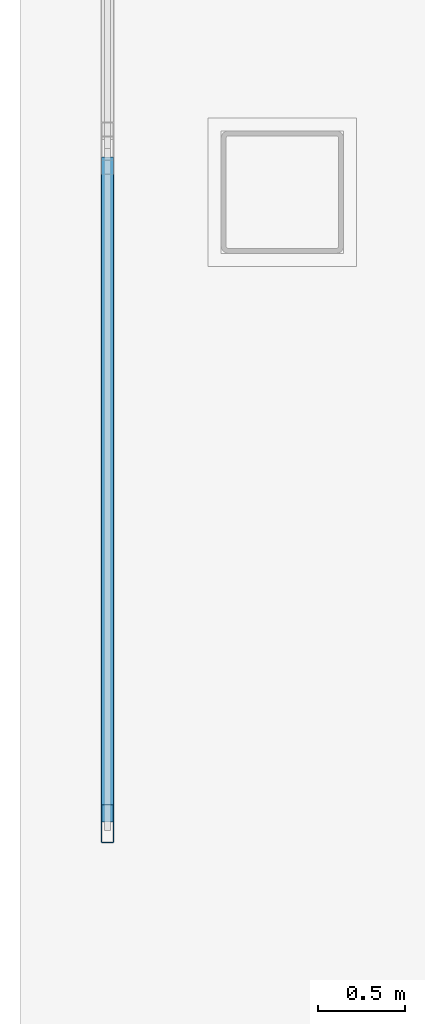
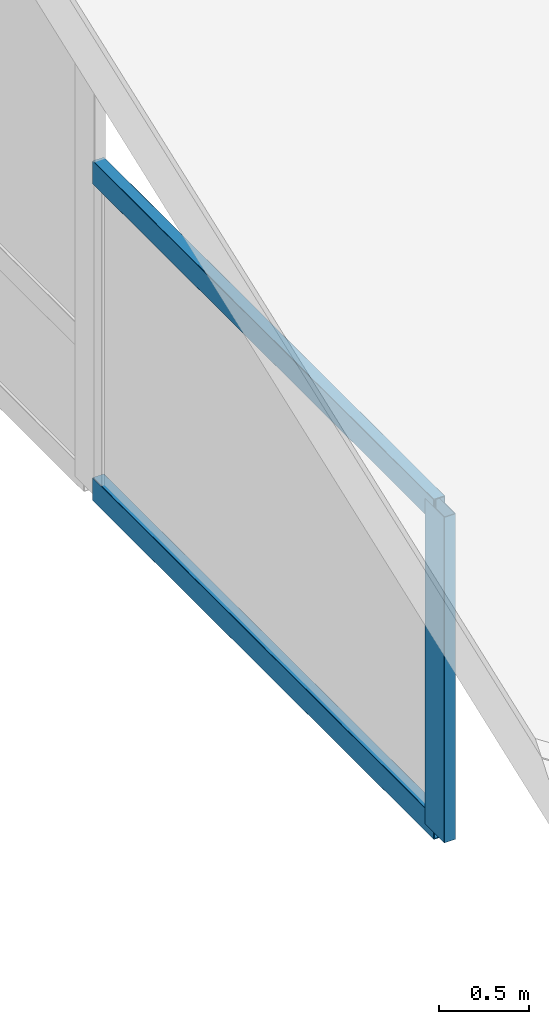
# One storey, part 2 of 12: 3 members, 1 element without a shape of its own.
"""IFC4 building model written with IfcOpenShell, lengths in metres."""

import ifcopenshell
import ifcopenshell.guid

model = None  # the IFC model being written
_history = None  # IfcOwnerHistory: only IFC2X3 demands one
_inside = {}  # id of a spatial element -> (the spatial element, [elements in it])
_under = {}  # id of a project, library or spatial element -> (it, [spatial elements below it])
_declared = {}  # id of a project -> (the project, [libraries it declares])
_typed = {}  # id of a type object -> (the type object, [elements of that type])
_made_of = {}  # id of a material, layer set ... -> (it, [elements and type objects made of it])


def new_model(schema):
    """Start an empty IFC model of exactly this schema.

    Asked for "IFC4X3", IfcOpenShell would pick the latest addendum, in which some entities
    have other attributes; the version numbers below select the first issue.
    IFC2X3 requires an IfcOwnerHistory on every rooted entity: one is made here for all.
    """
    global model, _history
    if schema == "IFC4X3":
        model = ifcopenshell.file(schema_version=(4, 3, 0, 0))
    else:
        model = ifcopenshell.file(schema=schema)
    _inside.clear()
    _under.clear()
    _declared.clear()
    _typed.clear()
    _made_of.clear()
    _history = None
    if model.schema == "IFC2X3":
        org = make("IfcOrganization", Name="unknown")
        user = make(
            "IfcPersonAndOrganization",
            ThePerson=make("IfcPerson", FamilyName="unknown"),
            TheOrganization=org,
        )
        app = make(
            "IfcApplication",
            ApplicationDeveloper=org,
            Version="unknown",
            ApplicationFullName="unknown",
            ApplicationIdentifier="unknown",
        )
        _history = make(
            "IfcOwnerHistory",
            OwningUser=user,
            OwningApplication=app,
            ChangeAction="ADDED",
            CreationDate=0,
        )
    return model


def make(cls, **values):
    """One entity of the class cls with the attributes given. An attribute that is None is left unset."""
    return model.create_entity(
        cls, **{name: value for name, value in values.items() if value is not None}
    )


def rooted(cls, **values):
    """An entity with a GlobalId (a new one), such as an element, a storey or a relation."""
    return make(cls, GlobalId=ifcopenshell.guid.new(), OwnerHistory=_history, **values)


def si_unit(unit_type, name, prefix=None):
    """IfcSIUnit, for example si_unit("LENGTHUNIT", "METRE", prefix="MILLI")."""
    return make("IfcSIUnit", UnitType=unit_type, Prefix=prefix, Name=name)


def assignment(units):
    """IfcUnitAssignment: the units of a project."""
    return None if units is None else make("IfcUnitAssignment", Units=units)


def point(xyz):
    """IfcCartesianPoint."""
    return None if xyz is None else make("IfcCartesianPoint", Coordinates=xyz)


def direction(xyz):
    """IfcDirection."""
    return None if xyz is None else make("IfcDirection", DirectionRatios=xyz)


def frame(location, z_axis=None, x_axis=None):
    """IfcAxis2Placement3D, a coordinate frame: its origin and axes. An axis left out is left unset."""
    return make(
        "IfcAxis2Placement3D",
        Location=point(location),
        Axis=direction(z_axis),
        RefDirection=direction(x_axis),
    )


def frame_2d(location, x_axis=None):
    """IfcAxis2Placement2D, a coordinate frame in the plane: its origin and x axis."""
    return make(
        "IfcAxis2Placement2D", Location=point(location), RefDirection=direction(x_axis)
    )


def origin():
    """The frame at (0, 0, 0) with its axes left unset."""
    return frame((0.0, 0.0, 0.0))


def origin_2d():
    """The frame at (0, 0) in the plane with its x axis left unset."""
    return frame_2d((0.0, 0.0))


def place(relative_to, where):
    """IfcLocalPlacement: puts the frame where relative to a parent placement (None: the world)."""
    return make(
        "IfcLocalPlacement", PlacementRelTo=relative_to, RelativePlacement=where
    )


def context(
    kind, dimensions, precision=None, world=None, true_north=None, identifier=None
):
    """IfcGeometricRepresentationContext, for example the 3D "Model" context."""
    return make(
        "IfcGeometricRepresentationContext",
        ContextIdentifier=identifier,
        ContextType=kind,
        CoordinateSpaceDimension=dimensions,
        Precision=precision,
        WorldCoordinateSystem=world,
        TrueNorth=true_north,
    )


def subcontext(parent, identifier, kind, view, scale=None):
    """IfcGeometricRepresentationSubContext, for example "Body" below "Model"."""
    return make(
        "IfcGeometricRepresentationSubContext",
        ContextIdentifier=identifier,
        ContextType=kind,
        ParentContext=parent,
        TargetScale=scale,
        TargetView=view,
    )


def project(units=None, contexts=None):
    """IfcProject with its units and contexts."""
    return rooted(
        "IfcProject",
        Name="project",
        RepresentationContexts=contexts,
        UnitsInContext=assignment(units),
    )


def spatial(cls, under=None, at=None, **own):
    """A site, building, storey or space (cls), placed at a placement, below another one or the project."""
    s = rooted(cls, ObjectPlacement=at, **own)
    if under is not None:
        _under.setdefault(under.id(), (under, []))[1].append(s)
    return s


def profile(cls, at=None, kind="AREA", **sizes):
    """A parametric profile (cls). Its sizes go by their IFC names, for example OverallWidth=200.0."""
    return make(cls, ProfileType=kind, Position=at, **sizes)


def hollow_rectangle(**sizes):
    """IfcRectangleHollowProfileDef."""
    return profile("IfcRectangleHollowProfileDef", **sizes)


def extrude(swept, where, along, depth):
    """IfcExtrudedAreaSolid: the profile swept, set in the frame where, extruded along a direction by depth."""
    return make(
        "IfcExtrudedAreaSolid",
        SweptArea=swept,
        Position=where,
        ExtrudedDirection=direction(along),
        Depth=depth,
    )


def shape(context_of_items, identifier, shape_type, items):
    """IfcShapeRepresentation: the items that make up one representation, for example the "Body"."""
    return make(
        "IfcShapeRepresentation",
        ContextOfItems=context_of_items,
        RepresentationIdentifier=identifier,
        RepresentationType=shape_type,
        Items=items,
    )


def material(Name=None, Category=None):
    """IfcMaterial."""
    return make("IfcMaterial", Name=Name, Category=Category)


def material_profile(
    of_material, cross_section, Name=None, Category=None, Priority=None
):
    """IfcMaterialProfile: a cross section and its material."""
    return make(
        "IfcMaterialProfile",
        Name=Name,
        Material=of_material,
        Profile=cross_section,
        Priority=Priority,
        Category=Category,
    )


def profile_set(profiles, Name=None, composite=None):
    """IfcMaterialProfileSet."""
    return make(
        "IfcMaterialProfileSet",
        Name=Name,
        MaterialProfiles=profiles,
        CompositeProfile=composite,
    )


def made_of(thing, what):
    """Note that an element or type object is made of a material, layer set ...; save() writes the relation."""
    if what is not None:
        _made_of.setdefault(what.id(), (what, []))[1].append(thing)
    return thing


def type_object(cls, material=None, **own):
    """A type object (cls), such as IfcWallType, which elements share."""
    return made_of(rooted(cls, **own), material)


def element(
    cls,
    number,
    at=None,
    inside=None,
    cuts=None,
    type_object=None,
    material=None,
    context=None,
    identifier="Body",
    shape_type=None,
    held_by="IfcProductDefinitionShape",
    body=None,
    shapes=None,
    **own,
):
    """One element of the class cls, such as IfcWall. Its Tag is "e" and its number.

    at: its placement. inside: the storey or other place that contains it. cuts: it is an
    opening in that element (IfcRelVoidsElement). A single representation is given by context,
    identifier, shape_type and body (its items); several are given by shapes. held_by: the class
    of the entity that holds the representations. save() writes the other relations.
    """
    e = rooted(cls, Tag="e%d" % number, ObjectPlacement=at, **own)
    if body is not None:
        shapes = [shape(context, identifier, shape_type, body)]
    if shapes is not None:
        e.Representation = make(held_by, Representations=shapes)
    if inside is not None:
        _inside.setdefault(inside.id(), (inside, []))[1].append(e)
    if cuts is not None:
        rooted(
            "IfcRelVoidsElement", RelatingBuildingElement=cuts, RelatedOpeningElement=e
        )
    if type_object is not None:
        _typed.setdefault(type_object.id(), (type_object, []))[1].append(e)
    return made_of(e, material)


def aggregate(whole, parts):
    """IfcRelAggregates: a whole, such as a stair, and the parts it consists of."""
    return rooted("IfcRelAggregates", RelatingObject=whole, RelatedObjects=parts)


def save(model, path):
    """Write the relations noted so far, then the file.

    IfcRelAggregates (storeys below a building ...), IfcRelContainedInSpatialStructure (elements
    in a storey), IfcRelDefinesByType, IfcRelAssociatesMaterial and IfcRelDeclares: one each for
    every whole, place, type object, material and project.
    """
    for whole, parts in _under.values():
        aggregate(whole, parts)
    for where, things in _inside.values():
        rooted(
            "IfcRelContainedInSpatialStructure",
            RelatedElements=things,
            RelatingStructure=where,
        )
    for kind, things in _typed.values():
        rooted("IfcRelDefinesByType", RelatedObjects=things, RelatingType=kind)
    for what, things in _made_of.values():
        rooted("IfcRelAssociatesMaterial", RelatedObjects=things, RelatingMaterial=what)
    for by, libraries in _declared.values():
        rooted("IfcRelDeclares", RelatingContext=by, RelatedDefinitions=libraries)
    model.write(path)


model = new_model("IFC4")

# Units and contexts
model_context = context("Model", 3, precision=1e-05, world=origin(), true_north=direction((0.0, 1.0)))
body_context = subcontext(model_context, "Body", "Model", "MODEL_VIEW")
ifc_project = project(units=[si_unit("LENGTHUNIT", "METRE"), si_unit("AREAUNIT", "SQUARE_METRE"), si_unit("VOLUMEUNIT", "CUBIC_METRE"), si_unit("PLANEANGLEUNIT", "RADIAN"), si_unit("MASSUNIT", "GRAM", prefix="KILO")], contexts=[model_context])

# Site, building, storey
site_placement = place(None, origin())
site = spatial("IfcSite", under=ifc_project, at=site_placement, CompositionType="ELEMENT")
building_placement = place(site_placement, origin())
building = spatial("IfcBuilding", under=site, at=building_placement, Name="Noeulbin Bourse Tower", CompositionType="ELEMENT")
storey_placement = place(building_placement, frame((0.0, 0.0, 317.39990234375)))
storey = spatial("IfcBuildingStorey", under=building, at=storey_placement, Name="RF", CompositionType="ELEMENT", Elevation=317.39990234375)

# Curtain wall, members
ifc_material_1 = material(Name="Translucent Ceramic-Fritted Glass", Category="glass")
curtain_wall_type = type_object("IfcCurtainWallType", Name="CW-SYS-5", PredefinedType="NOTDEFINED", material=ifc_material_1)
curtain_wall_placement = place(storey_placement, origin())
curtain_wall = element("IfcCurtainWall", 1, at=curtain_wall_placement, inside=storey, type_object=curtain_wall_type, Name="Unitised Curtain Wall CW-RF-CRN-W2", PredefinedType="NOTDEFINED")
ifc_material_2 = material(Name="Anodised Aluminium 6063-T6", Category="aluminium")
ifc_material_profile_1 = material_profile(ifc_material_2, hollow_rectangle(XDim=0.074951171875, YDim=0.219970703125, WallThickness=0.0048828125, InnerFilletRadius=0.00244140625, OuterFilletRadius=0.0048828125, at=origin_2d()), Name="ALU-MULL-75x220x5", Category="LoadBearing")
ifc_profile_set_1 = profile_set([ifc_material_profile_1], Name="Anodised Aluminium 6063-T6")
member_type_1 = type_object("IfcMemberType", Name="CW-SYS-5-MUL", PredefinedType="MULLION", material=ifc_profile_set_1)
member_1_placement = place(storey_placement, frame((12.5, 25.389892578125, -0.02001953125), z_axis=(0.0, 0.0, 1.0), x_axis=(1.0, 0.0, 0.0)))
member_1 = element("IfcMember", 2, at=member_1_placement, type_object=member_type_1, Name="Curtain Wall Mullion CW-RF-CRN-W2-M00", PredefinedType="MULLION", context=body_context, shape_type="SweptSolid", body=[
    extrude(hollow_rectangle(XDim=0.074951171875, YDim=0.219970703125, WallThickness=0.0048828125, InnerFilletRadius=0.00244140625, OuterFilletRadius=0.0048828125, at=origin_2d()), origin(), (0.0, 0.0, 1.0), 2.21484375),
])
ifc_material_profile_2 = material_profile(ifc_material_2, hollow_rectangle(XDim=0.074951171875, YDim=0.159912109375, WallThickness=0.0048828125, InnerFilletRadius=0.00244140625, OuterFilletRadius=0.0048828125, at=origin_2d()), Name="ALU-TRAN-75x160x5", Category="LoadBearing")
ifc_profile_set_2 = profile_set([ifc_material_profile_2], Name="Anodised Aluminium 6063-T6")
member_type_2 = type_object("IfcMemberType", Name="CW-SYS-5-TRN", PredefinedType="USERDEFINED", material=ifc_profile_set_2)
member_2_placement = place(storey_placement, frame((12.5, 25.39990234375, 0.010009765625), z_axis=(0.0, 1.0, 0.0), x_axis=(-1.0, 0.0, 0.0)))
member_2 = element("IfcMember", 3, at=member_2_placement, type_object=member_type_2, Name="Curtain Wall Transom CW-RF-CRN-W2-T00", ObjectType="TRANSOM", PredefinedType="USERDEFINED", context=body_context, shape_type="SweptSolid", body=[
    extrude(hollow_rectangle(XDim=0.074951171875, YDim=0.159912109375, WallThickness=0.0048828125, InnerFilletRadius=0.00244140625, OuterFilletRadius=0.0048828125, at=origin_2d()), origin(), (0.0, 0.0, 1.0), 3.800048828125),
])
member_3_placement = place(storey_placement, frame((12.5, 25.39990234375, 2.164794921875), z_axis=(0.0, 1.0, 0.0), x_axis=(-1.0, 0.0, 0.0)))
member_3 = element("IfcMember", 4, at=member_3_placement, type_object=member_type_2, Name="Curtain Wall Transom CW-RF-CRN-W2-T01", ObjectType="TRANSOM", PredefinedType="USERDEFINED", context=body_context, shape_type="SweptSolid", body=[
    extrude(hollow_rectangle(XDim=0.074951171875, YDim=0.159912109375, WallThickness=0.0048828125, InnerFilletRadius=0.00244140625, OuterFilletRadius=0.0048828125, at=origin_2d()), origin(), (0.0, 0.0, 1.0), 3.800048828125),
])
aggregate(curtain_wall, [member_1, member_2, member_3])

save(model, "model.ifc")
